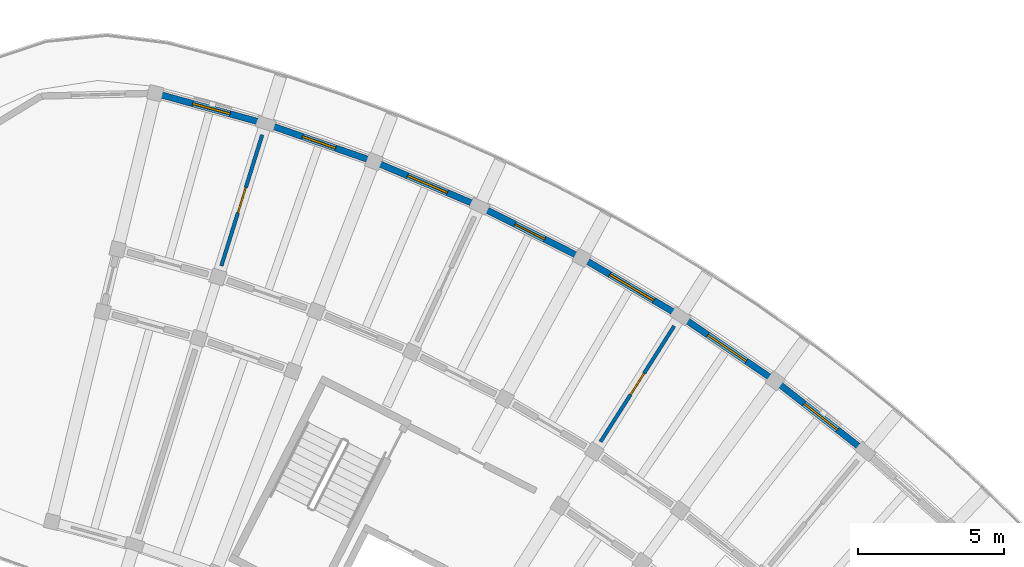
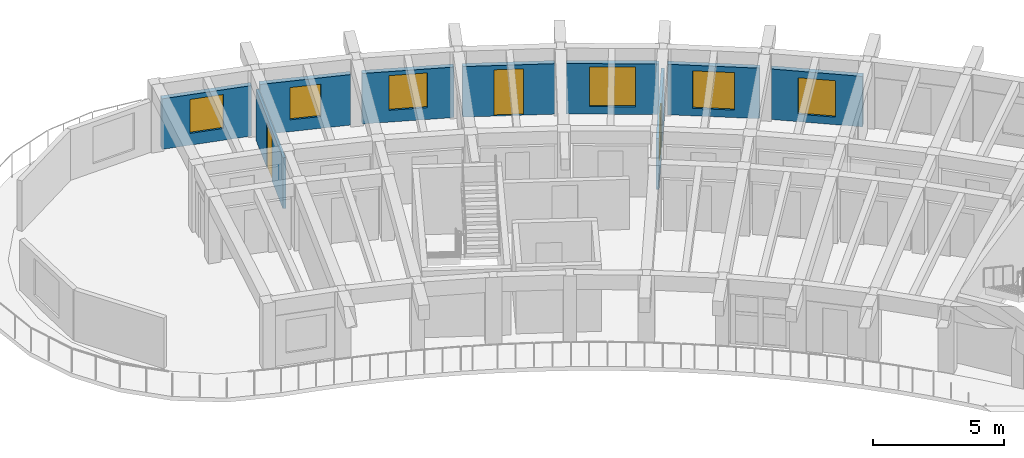
# One storey, part 26 of 41: 9 walls, 6 windows, 3 doors, 9 openings.
"""IFC4 building model written with IfcOpenShell, lengths in metres."""

from ifc_helpers import new_model, si_unit, direction, frame, frame_2d, origin, place, context, subcontext, project, spatial, rectangle, extrude, material, layer, layer_set, type_object, element, fill, save


model = new_model("IFC4")

# Units and contexts
model_context = context("Model", 3, precision=1e-05, world=origin(), true_north=direction((0.0, 1.0)))
body_context = subcontext(model_context, "Body", "Model", "MODEL_VIEW")
ifc_project = project(units=[si_unit("LENGTHUNIT", "METRE"), si_unit("AREAUNIT", "SQUARE_METRE"), si_unit("VOLUMEUNIT", "CUBIC_METRE"), si_unit("PLANEANGLEUNIT", "RADIAN"), si_unit("MASSUNIT", "GRAM", prefix="KILO")], contexts=[model_context])

# Site, building, storey
site_placement = place(None, origin())
site = spatial("IfcSite", under=ifc_project, at=site_placement, CompositionType="ELEMENT")
building_placement = place(site_placement, origin())
building = spatial("IfcBuilding", under=site, at=building_placement, Name="Tanwirah Colonnade Gardens", CompositionType="ELEMENT")
storey_placement = place(building_placement, frame((0.0, 0.0, 35.719970703125)))
storey = spatial("IfcBuildingStorey", under=building, at=storey_placement, Name="L10", CompositionType="ELEMENT", Elevation=35.719970703125)

# Wall, opening, window
ifc_material_1 = material(Name="Limestone architectural precast concrete C40/50", Category="masonry")
ifc_layer_1 = layer(ifc_material_1, 0.219970703125)
ifc_layer_set_1 = layer_set([ifc_layer_1], Name="Limestone architectural precast concrete C40/50")
wall_type_1 = type_object("IfcWallType", Name="EW-PC220", PredefinedType="SOLIDWALL", material=ifc_layer_set_1)
wall_1_placement = place(storey_placement, frame((159.148193359375, 105.919677734375, 0.0), z_axis=(0.0, 0.0, 1.0), x_axis=(-0.786813367299, 0.617190995592, 0.0)))
wall_1 = element("IfcWall", 1, at=wall_1_placement, inside=storey, type_object=wall_type_1, Name="Block B L10 OUT Precast Facade Wall 9", PredefinedType="SOLIDWALL", context=body_context, shape_type="SweptSolid", body=[
    extrude(rectangle(XDim=3.540771484375, YDim=0.219970703125, at=frame_2d((1.7705078125, 0.0))), origin(), (0.0, 0.0, 1.0), 2.35498046875),
])
opening_1_placement = place(wall_1_placement, frame((1.04541015625, 0.0, 0.35009765625)))
opening_1 = element("IfcOpeningElement", 2, at=opening_1_placement, cuts=wall_1, Name="Opening WIN-T07", PredefinedType="OPENING", context=body_context, shape_type="SweptSolid", body=[
    extrude(rectangle(XDim=1.449951171875, YDim=1.699951171875, at=frame_2d((0.72509765625, 0.85009765625))), frame((0.0, 0.119873046875, 0.0), z_axis=(0.0, -1.0, 0.0), x_axis=(1.0, 0.0, 0.0)), (0.0, 0.0, 1.0), 0.239990234375),
])
ifc_material_2 = material(Name="Thermally broken bronze aluminium and solar low-E double glazing", Category="aluminium")
window_type_1 = type_object("IfcWindowType", Name="WIN-T07", PartitioningType="DOUBLE_PANEL_VERTICAL", PredefinedType="WINDOW", material=ifc_material_2)
window_1_placement = place(opening_1_placement, origin())
window_1 = element("IfcWindow", 3, at=window_1_placement, inside=storey, type_object=window_type_1, Name="Facade window B-L10-OUT-09", OverallHeight=1.699951171875, OverallWidth=1.449951171875, PartitioningType="SINGLE_PANEL", PredefinedType="WINDOW", context=body_context, shape_type="SweptSolid", body=[
    extrude(rectangle(XDim=1.449951171875, YDim=1.699951171875, at=frame_2d((0.72509765625, 0.85009765625))), frame((0.0, 0.030029296875, 0.0), z_axis=(0.0, -1.0, 0.0), x_axis=(1.0, 0.0, 0.0)), (0.0, 0.0, 1.0), 0.06005859375),
])
fill(opening_1, window_1)

wall_2_placement = place(storey_placement, frame((156.007568359375, 108.364990234375, 0.0), z_axis=(0.0, 0.0, 1.0), x_axis=(-0.825792366032, 0.563974262005, 0.0)))
wall_2 = element("IfcWall", 4, at=wall_2_placement, inside=storey, type_object=wall_type_1, Name="Block B L10 OUT Precast Facade Wall 10", PredefinedType="SOLIDWALL", context=body_context, shape_type="SweptSolid", body=[
    extrude(rectangle(XDim=3.54052734375, YDim=0.219970703125, at=frame_2d((1.770263671875, 0.0))), origin(), (0.0, 0.0, 1.0), 2.35498046875),
])
opening_2_placement = place(wall_2_placement, frame((0.97021484375, 0.0, 0.35009765625)))
opening_2 = element("IfcOpeningElement", 5, at=opening_2_placement, cuts=wall_2, Name="Opening WIN-T10", PredefinedType="OPENING", context=body_context, shape_type="SweptSolid", body=[
    extrude(rectangle(XDim=1.60009765625, YDim=1.75, at=frame_2d((0.800048828125, 0.875))), frame((0.0, 0.119873046875, 0.0), z_axis=(0.0, -1.0, 0.0), x_axis=(1.0, 0.0, 0.0)), (0.0, 0.0, 1.0), 0.239990234375),
])
window_type_2 = type_object("IfcWindowType", Name="WIN-T10", PartitioningType="DOUBLE_PANEL_VERTICAL", PredefinedType="WINDOW", material=ifc_material_2)
window_2_placement = place(opening_2_placement, origin())
window_2 = element("IfcWindow", 6, at=window_2_placement, inside=storey, type_object=window_type_2, Name="Facade window B-L10-OUT-10", OverallHeight=1.75, OverallWidth=1.60009765625, PartitioningType="SINGLE_PANEL", PredefinedType="WINDOW", context=body_context, shape_type="SweptSolid", body=[
    extrude(rectangle(XDim=1.60009765625, YDim=1.75, at=frame_2d((0.800048828125, 0.875))), frame((0.0, 0.030029296875, 0.0), z_axis=(0.0, -1.0, 0.0), x_axis=(1.0, 0.0, 0.0)), (0.0, 0.0, 1.0), 0.06005859375),
])
fill(opening_2, window_2)

wall_3_placement = place(storey_placement, frame((152.805419921875, 110.538818359375, 0.0), z_axis=(0.0, 0.0, 1.0), x_axis=(-0.861133733249, 0.508378494294, 0.0)))
wall_3 = element("IfcWall", 7, at=wall_3_placement, inside=storey, type_object=wall_type_1, Name="Block B L10 OUT Precast Facade Wall 11", PredefinedType="SOLIDWALL", context=body_context, shape_type="SweptSolid", body=[
    extrude(rectangle(XDim=3.540771484375, YDim=0.219970703125, at=frame_2d((1.7705078125, 0.0))), origin(), (0.0, 0.0, 1.0), 2.35498046875),
])
opening_3_placement = place(wall_3_placement, frame((0.8955078125, 0.0, 0.35009765625)))
opening_3 = element("IfcOpeningElement", 8, at=opening_3_placement, cuts=wall_3, Name="Opening WIN-T13", PredefinedType="OPENING", context=body_context, shape_type="SweptSolid", body=[
    extrude(rectangle(XDim=1.75, YDim=1.85009765625, at=frame_2d((0.875, 0.925048828125))), frame((0.0, 0.119873046875, 0.0), z_axis=(0.0, -1.0, 0.0), x_axis=(1.0, 0.0, 0.0)), (0.0, 0.0, 1.0), 0.239990234375),
])
window_type_3 = type_object("IfcWindowType", Name="WIN-T13", PartitioningType="TRIPLE_PANEL_VERTICAL", PredefinedType="WINDOW", material=ifc_material_2)
window_3_placement = place(opening_3_placement, origin())
window_3 = element("IfcWindow", 9, at=window_3_placement, inside=storey, type_object=window_type_3, Name="Facade window B-L10-OUT-11", OverallHeight=1.85009765625, OverallWidth=1.75, PartitioningType="SINGLE_PANEL", PredefinedType="WINDOW", context=body_context, shape_type="SweptSolid", body=[
    extrude(rectangle(XDim=1.75, YDim=1.85009765625, at=frame_2d((0.875, 0.925048828125))), frame((0.0, 0.030029296875, 0.0), z_axis=(0.0, -1.0, 0.0), x_axis=(1.0, 0.0, 0.0)), (0.0, 0.0, 1.0), 0.06005859375),
])
fill(opening_3, window_3)

# Wall, opening, door
wall_4_placement = place(storey_placement, frame((149.37060546875, 112.5498046875, 0.0), z_axis=(0.0, 0.0, 1.0), x_axis=(-0.892766264705, 0.450520140066, 0.0)))
wall_4 = element("IfcWall", 10, at=wall_4_placement, inside=storey, type_object=wall_type_1, Name="Block B L10 OUT Precast Facade Wall 12", PredefinedType="SOLIDWALL", context=body_context, shape_type="SweptSolid", body=[
    extrude(rectangle(XDim=3.540771484375, YDim=0.219970703125, at=frame_2d((1.7705078125, 0.0))), origin(), (0.0, 0.0, 1.0), 2.35498046875),
])
opening_4_placement = place(wall_4_placement, frame((1.200439453125, 0.0, 0.0)))
opening_4 = element("IfcOpeningElement", 11, at=opening_4_placement, cuts=wall_4, Name="Opening L10-ED117", PredefinedType="OPENING", context=body_context, shape_type="SweptSolid", body=[
    extrude(rectangle(XDim=1.139892578125, YDim=2.159912109375, at=frame_2d((0.56982421875, 1.080078125))), frame((0.0, 0.119873046875, 0.0), z_axis=(0.0, -1.0, 0.0), x_axis=(1.0, 0.0, 0.0)), (0.0, 0.0, 1.0), 0.239990234375),
])
ifc_material_3 = material(Name="Bronze aluminium glazed balcony door", Category="aluminium")
door_type_1 = type_object("IfcDoorType", Name="ED-BAL114", OperationType="NOTDEFINED", PredefinedType="DOOR", material=ifc_material_3)
door_1_placement = place(opening_4_placement, origin())
door_1 = element("IfcDoor", 12, at=door_1_placement, inside=storey, type_object=door_type_1, Name="Balcony glazed door L10-ED117", OperationType="SINGLE_SWING_LEFT", OverallHeight=2.159912109375, OverallWidth=1.139892578125, PredefinedType="DOOR", context=body_context, shape_type="SweptSolid", body=[
    extrude(rectangle(XDim=1.139892578125, YDim=2.159912109375, at=frame_2d((0.56982421875, 1.080078125))), frame((0.0, 0.02490234375, 0.0), z_axis=(0.0, -1.0, 0.0), x_axis=(1.0, 0.0, 0.0)), (0.0, 0.0, 1.0), 0.050048828125),
])
fill(opening_4, door_1)

# Wall, opening, window
wall_5_placement = place(storey_placement, frame((145.910400390625, 114.28369140625, 0.0), z_axis=(0.0, 0.0, 1.0), x_axis=(-0.920498375564, 0.390746389088, 0.0)))
wall_5 = element("IfcWall", 13, at=wall_5_placement, inside=storey, type_object=wall_type_1, Name="Block B L10 OUT Precast Facade Wall 13", PredefinedType="SOLIDWALL", context=body_context, shape_type="SweptSolid", body=[
    extrude(rectangle(XDim=3.540771484375, YDim=0.219970703125, at=frame_2d((1.7705078125, 0.0))), origin(), (0.0, 0.0, 1.0), 2.35498046875),
])
opening_5_placement = place(wall_5_placement, frame((1.030517578125, 0.0, 0.550048828125)))
opening_5 = element("IfcOpeningElement", 14, at=opening_5_placement, cuts=wall_5, Name="Opening WIN-T19", PredefinedType="OPENING", context=body_context, shape_type="SweptSolid", body=[
    extrude(rectangle(XDim=1.47998046875, YDim=1.6201171875, at=frame_2d((0.739990234375, 0.81005859375))), frame((0.0, 0.119873046875, 0.0), z_axis=(0.0, -1.0, 0.0), x_axis=(1.0, 0.0, 0.0)), (0.0, 0.0, 1.0), 0.239990234375),
])
window_type_4 = type_object("IfcWindowType", Name="WIN-T19", PartitioningType="DOUBLE_PANEL_VERTICAL", PredefinedType="WINDOW", material=ifc_material_2)
window_4_placement = place(opening_5_placement, origin())
window_4 = element("IfcWindow", 15, at=window_4_placement, inside=storey, type_object=window_type_4, Name="Facade window B-L10-OUT-13", OverallHeight=1.6201171875, OverallWidth=1.47998046875, PartitioningType="SINGLE_PANEL", PredefinedType="WINDOW", context=body_context, shape_type="SweptSolid", body=[
    extrude(rectangle(XDim=1.47998046875, YDim=1.6201171875, at=frame_2d((0.739990234375, 0.81005859375))), frame((0.0, 0.030029296875, 0.0), z_axis=(0.0, -1.0, 0.0), x_axis=(1.0, 0.0, 0.0)), (0.0, 0.0, 1.0), 0.06005859375),
])
fill(opening_5, window_4)

wall_6_placement = place(storey_placement, frame((142.240966796875, 115.82568359375, 0.0), z_axis=(0.0, 0.0, 1.0), x_axis=(-0.944250036963, 0.329229202373, 0.0)))
wall_6 = element("IfcWall", 16, at=wall_6_placement, inside=storey, type_object=wall_type_1, Name="Block B L10 OUT Precast Facade Wall 14", PredefinedType="SOLIDWALL", context=body_context, shape_type="SweptSolid", body=[
    extrude(rectangle(XDim=3.541015625, YDim=0.219970703125, at=frame_2d((1.7705078125, 0.0))), origin(), (0.0, 0.0, 1.0), 2.35498046875),
])
opening_6_placement = place(wall_6_placement, frame((1.17041015625, 0.0, 0.550048828125)))
opening_6 = element("IfcOpeningElement", 17, at=opening_6_placement, cuts=wall_6, Name="Opening WIN-U02", PredefinedType="OPENING", context=body_context, shape_type="SweptSolid", body=[
    extrude(rectangle(XDim=1.199951171875, YDim=1.510009765625, at=frame_2d((0.60009765625, 0.7548828125))), frame((0.0, 0.119873046875, 0.0), z_axis=(0.0, -1.0, 0.0), x_axis=(1.0, 0.0, 0.0)), (0.0, 0.0, 1.0), 0.239990234375),
])
window_type_5 = type_object("IfcWindowType", Name="WIN-U02", PartitioningType="DOUBLE_PANEL_VERTICAL", PredefinedType="WINDOW", material=ifc_material_2)
window_5_placement = place(opening_6_placement, origin())
window_5 = element("IfcWindow", 18, at=window_5_placement, inside=storey, type_object=window_type_5, Name="Facade window B-L10-OUT-14", OverallHeight=1.510009765625, OverallWidth=1.199951171875, PartitioningType="SINGLE_PANEL", PredefinedType="WINDOW", context=body_context, shape_type="SweptSolid", body=[
    extrude(rectangle(XDim=1.199951171875, YDim=1.510009765625, at=frame_2d((0.60009765625, 0.7548828125))), frame((0.0, 0.030029296875, 0.0), z_axis=(0.0, -1.0, 0.0), x_axis=(1.0, 0.0, 0.0)), (0.0, 0.0, 1.0), 0.06005859375),
])
fill(opening_6, window_5)

wall_7_placement = place(storey_placement, frame((138.582763671875, 117.089599609375, 0.0), z_axis=(0.0, 0.0, 1.0), x_axis=(-0.963891366843, 0.266295762125, 0.0)))
wall_7 = element("IfcWall", 19, at=wall_7_placement, inside=storey, type_object=wall_type_1, Name="Block B L10 OUT Precast Facade Wall 15", PredefinedType="SOLIDWALL", context=body_context, shape_type="SweptSolid", body=[
    extrude(rectangle(XDim=3.540771484375, YDim=0.219970703125, at=frame_2d((1.7705078125, 0.0))), origin(), (0.0, 0.0, 1.0), 2.35498046875),
])
opening_7_placement = place(wall_7_placement, frame((1.1103515625, 0.0, 0.550048828125)))
opening_7 = element("IfcOpeningElement", 20, at=opening_7_placement, cuts=wall_7, Name="Opening WIN-U05", PredefinedType="OPENING", context=body_context, shape_type="SweptSolid", body=[
    extrude(rectangle(XDim=1.320068359375, YDim=1.5849609375, at=frame_2d((0.66015625, 0.79248046875))), frame((0.0, 0.119873046875, 0.0), z_axis=(0.0, -1.0, 0.0), x_axis=(1.0, 0.0, 0.0)), (0.0, 0.0, 1.0), 0.239990234375),
])
window_type_6 = type_object("IfcWindowType", Name="WIN-U05", PartitioningType="DOUBLE_PANEL_VERTICAL", PredefinedType="WINDOW", material=ifc_material_2)
window_6_placement = place(opening_7_placement, origin())
window_6 = element("IfcWindow", 21, at=window_6_placement, inside=storey, type_object=window_type_6, Name="Facade window B-L10-OUT-15", OverallHeight=1.5849609375, OverallWidth=1.320068359375, PartitioningType="SINGLE_PANEL", PredefinedType="WINDOW", context=body_context, shape_type="SweptSolid", body=[
    extrude(rectangle(XDim=1.320068359375, YDim=1.5849609375, at=frame_2d((0.66015625, 0.79248046875))), frame((0.0, 0.030029296875, 0.0), z_axis=(0.0, -1.0, 0.0), x_axis=(1.0, 0.0, 0.0)), (0.0, 0.0, 1.0), 0.06005859375),
])
fill(opening_7, window_6)

# Wall, opening, door
ifc_material_4 = material(Name="Moisture-resistant gypsum stud partition")
ifc_layer_2 = layer(ifc_material_4, 0.125)
ifc_layer_set_2 = layer_set([ifc_layer_2], Name="Moisture-resistant gypsum stud partition")
wall_type_2 = type_object("IfcWallType", Name="IW-INT125", PredefinedType="PARTITIONING", material=ifc_layer_set_2)
wall_8_placement = place(storey_placement, frame((150.21142578125, 106.151123046875, 0.0), z_axis=(0.0, 0.0, 1.0), x_axis=(0.536492262982, 0.843905238614, 0.0)))
wall_8 = element("IfcWall", 22, at=wall_8_placement, inside=storey, type_object=wall_type_2, Name="Block B L10 Radial Partition 10", PredefinedType="PARTITIONING", context=body_context, shape_type="SweptSolid", body=[
    extrude(rectangle(XDim=4.699951171875, YDim=0.125, at=frame_2d((2.35009765625, 0.0))), origin(), (0.0, 0.0, 1.0), 2.3701171875),
])
opening_8_placement = place(wall_8_placement, frame((1.9150390625, 0.0, 0.0)))
opening_8 = element("IfcOpeningElement", 23, at=opening_8_placement, cuts=wall_8, Name="Opening L10-RD1214", PredefinedType="OPENING", context=body_context, shape_type="SweptSolid", body=[
    extrude(rectangle(XDim=0.8701171875, YDim=2.080078125, at=frame_2d((0.43505859375, 1.0400390625))), frame((0.0, 0.072509765625, 0.0), z_axis=(0.0, -1.0, 0.0), x_axis=(1.0, 0.0, 0.0)), (0.0, 0.0, 1.0), 0.14501953125),
])
ifc_material_5 = material(Name="Painted hardwood study door", Category="wood")
door_type_2 = type_object("IfcDoorType", Name="ID-RM087", OperationType="NOTDEFINED", PredefinedType="DOOR", material=ifc_material_5)
door_2_placement = place(opening_8_placement, origin())
door_2 = element("IfcDoor", 24, at=door_2_placement, inside=storey, type_object=door_type_2, Name="Internal apartment door L10-RD1214", OperationType="SINGLE_SWING_LEFT", OverallHeight=2.080078125, OverallWidth=0.8701171875, PredefinedType="DOOR", context=body_context, shape_type="SweptSolid", body=[
    extrude(rectangle(XDim=0.8701171875, YDim=2.080078125, at=frame_2d((0.43505859375, 1.0400390625))), frame((0.0, 0.02490234375, 0.0), z_axis=(0.0, -1.0, 0.0), x_axis=(1.0, 0.0, 0.0)), (0.0, 0.0, 1.0), 0.050048828125),
])
fill(opening_8, door_2)

wall_9_placement = place(storey_placement, frame((137.222412109375, 112.17724609375, 0.0), z_axis=(0.0, 0.0, 1.0), x_axis=(0.297905254614, 0.954595442726, 0.0)))
wall_9 = element("IfcWall", 25, at=wall_9_placement, inside=storey, type_object=wall_type_2, Name="Block B L10 Radial Partition 14", PredefinedType="PARTITIONING", context=body_context, shape_type="SweptSolid", body=[
    extrude(rectangle(XDim=4.699951171875, YDim=0.125, at=frame_2d((2.35009765625, 0.0))), origin(), (0.0, 0.0, 1.0), 2.3701171875),
])
opening_9_placement = place(wall_9_placement, frame((1.89501953125, 0.0, 0.0)))
opening_9 = element("IfcOpeningElement", 26, at=opening_9_placement, cuts=wall_9, Name="Opening L10-RD1221", PredefinedType="OPENING", context=body_context, shape_type="SweptSolid", body=[
    extrude(rectangle(XDim=0.909912109375, YDim=2.10009765625, at=frame_2d((0.455078125, 1.050048828125))), frame((0.0, 0.072509765625, 0.0), z_axis=(0.0, -1.0, 0.0), x_axis=(1.0, 0.0, 0.0)), (0.0, 0.0, 1.0), 0.14501953125),
])
ifc_material_6 = material(Name="Painted hardwood internal room door", Category="wood")
door_type_3 = type_object("IfcDoorType", Name="ID-RM091", OperationType="NOTDEFINED", PredefinedType="DOOR", material=ifc_material_6)
door_3_placement = place(opening_9_placement, origin())
door_3 = element("IfcDoor", 27, at=door_3_placement, inside=storey, type_object=door_type_3, Name="Internal apartment door L10-RD1221", OperationType="SINGLE_SWING_LEFT", OverallHeight=2.10009765625, OverallWidth=0.909912109375, PredefinedType="DOOR", context=body_context, shape_type="SweptSolid", body=[
    extrude(rectangle(XDim=0.909912109375, YDim=2.10009765625, at=frame_2d((0.455078125, 1.050048828125))), frame((0.0, 0.02490234375, 0.0), z_axis=(0.0, -1.0, 0.0), x_axis=(1.0, 0.0, 0.0)), (0.0, 0.0, 1.0), 0.050048828125),
])
fill(opening_9, door_3)

save(model, "model.ifc")
